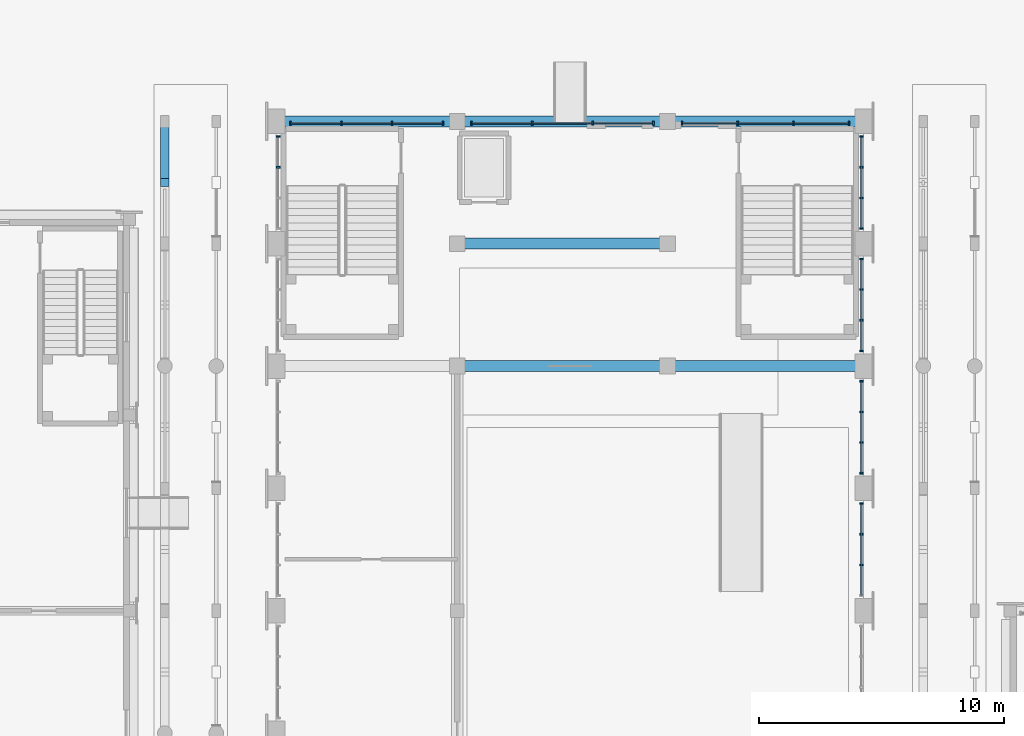
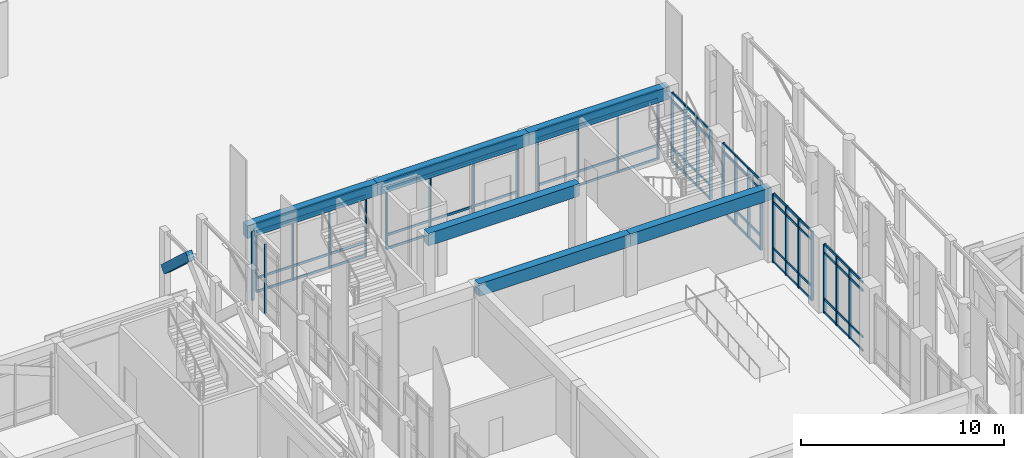
# One storey, part 43 of 135: 57 members, 7 beams, 8 elements without a shape of their own.
"""IFC4 building model written with IfcOpenShell, lengths in metres."""

from ifc_helpers import new_model, si_unit, direction, frame, origin, origin_2d, place, context, subcontext, project, spatial, rectangle, extrude, material, material_profile, profile_set, type_object, element, aggregate, save


model = new_model("IFC4")

# Units and contexts
model_context = context("Model", 3, precision=1e-05, world=origin(), true_north=direction((0.0, 1.0)))
body_context = subcontext(model_context, "Body", "Model", "MODEL_VIEW")
ifc_project = project(units=[si_unit("LENGTHUNIT", "METRE"), si_unit("AREAUNIT", "SQUARE_METRE"), si_unit("VOLUMEUNIT", "CUBIC_METRE"), si_unit("PLANEANGLEUNIT", "RADIAN"), si_unit("MASSUNIT", "GRAM", prefix="KILO")], contexts=[model_context])

# Site, building, storey
site_placement = place(None, origin())
site = spatial("IfcSite", under=ifc_project, at=site_placement, CompositionType="ELEMENT")
building_placement = place(site_placement, origin())
building = spatial("IfcBuilding", under=site, at=building_placement, Name="Kiranvali Square Residences", CompositionType="ELEMENT")
storey_placement = place(building_placement, origin())
storey = spatial("IfcBuildingStorey", under=building, at=storey_placement, Name="L00", CompositionType="ELEMENT", Elevation=0.0)

# Beams
ifc_material_1 = material(Name="Concrete M40 (40 MPa)", Category="concrete")
ifc_material_profile_1 = material_profile(ifc_material_1, rectangle(XDim=0.35009765625, YDim=0.5, at=origin_2d()), Name="RC 350x500")
ifc_profile_set_1 = profile_set([ifc_material_profile_1], Name="Concrete M40 (40 MPa)")
beam_type_1 = type_object("IfcBeamType", Name="AR-M40-350x500", PredefinedType="USERDEFINED", material=ifc_profile_set_1)
beam_1_placement = place(storey_placement, frame((67.449951171875, 81.5, 5.4599609375), z_axis=(0.0, 0.736401324674, -0.676544964521), x_axis=(-1.0, 0.0, 0.0)))
element("IfcBeam", 1, at=beam_1_placement, inside=storey, type_object=beam_type_1, Name="Classical pointed Ottoman arch rib ARCH-ARC-GDN-W-08.2", ObjectType="ARCH RIB", PredefinedType="USERDEFINED", context=body_context, shape_type="SweptSolid", body=[
    extrude(rectangle(XDim=0.35009765625, YDim=0.5, at=origin_2d()), origin(), (0.0, 0.0, 1.0), 3.340576171875),
])
ifc_material_2 = material(Name="Concrete M45 (45 MPa)", Category="concrete")
ifc_material_profile_2 = material_profile(ifc_material_2, rectangle(XDim=0.449951171875, YDim=0.75, at=origin_2d()), Name="RC 450x750")
ifc_profile_set_2 = profile_set([ifc_material_profile_2], Name="Concrete M45 (45 MPa)")
beam_type_2 = type_object("IfcBeamType", Name="BM-M45-450x750", PredefinedType="BEAM", material=ifc_profile_set_2)
beam_2_placement = place(storey_placement, frame((79.39990234375, 74.0, 3.875), z_axis=(1.0, 0.0, 0.0), x_axis=(0.0, 1.0, 0.0)))
element("IfcBeam", 2, at=beam_2_placement, inside=storey, type_object=beam_type_2, Name="L00 beam BM-CH-GAL-740-2", PredefinedType="BEAM", context=body_context, shape_type="SweptSolid", body=[
    extrude(rectangle(XDim=0.449951171875, YDim=0.75, at=origin_2d()), origin(), (0.0, 0.0, 1.0), 8.60009765625),
])
beam_3_placement = place(storey_placement, frame((88.0, 74.0, 3.875), z_axis=(1.0, 0.0, 0.0), x_axis=(0.0, 1.0, 0.0)))
element("IfcBeam", 3, at=beam_3_placement, inside=storey, type_object=beam_type_2, Name="L00 beam BM-CH-GAL-740-3", PredefinedType="BEAM", context=body_context, shape_type="SweptSolid", body=[
    extrude(rectangle(XDim=0.449951171875, YDim=0.75, at=origin_2d()), origin(), (0.0, 0.0, 1.0), 8.0),
])
beam_4_placement = place(storey_placement, frame((79.39990234375, 79.0, 3.875), z_axis=(1.0, 0.0, 0.0), x_axis=(0.0, 1.0, 0.0)))
element("IfcBeam", 4, at=beam_4_placement, inside=storey, type_object=beam_type_2, Name="L00 beam BM-CH-GAL-790-2", PredefinedType="BEAM", context=body_context, shape_type="SweptSolid", body=[
    extrude(rectangle(XDim=0.449951171875, YDim=0.75, at=origin_2d()), origin(), (0.0, 0.0, 1.0), 8.60009765625),
])
beam_5_placement = place(storey_placement, frame((72.0, 84.0, 3.875), z_axis=(1.0, 0.0, 0.0), x_axis=(0.0, 1.0, 0.0)))
element("IfcBeam", 5, at=beam_5_placement, inside=storey, type_object=beam_type_2, Name="L00 beam BM-CH-GAL-840-1", PredefinedType="BEAM", context=body_context, shape_type="SweptSolid", body=[
    extrude(rectangle(XDim=0.449951171875, YDim=0.75, at=origin_2d()), origin(), (0.0, 0.0, 1.0), 7.39990234375),
])
beam_6_placement = place(storey_placement, frame((79.39990234375, 84.0, 3.875), z_axis=(1.0, 0.0, 0.0), x_axis=(0.0, 1.0, 0.0)))
element("IfcBeam", 6, at=beam_6_placement, inside=storey, type_object=beam_type_2, Name="L00 beam BM-CH-GAL-840-2", PredefinedType="BEAM", context=body_context, shape_type="SweptSolid", body=[
    extrude(rectangle(XDim=0.449951171875, YDim=0.75, at=origin_2d()), origin(), (0.0, 0.0, 1.0), 8.60009765625),
])
beam_7_placement = place(storey_placement, frame((88.0, 84.0, 3.875), z_axis=(1.0, 0.0, 0.0), x_axis=(0.0, 1.0, 0.0)))
element("IfcBeam", 7, at=beam_7_placement, inside=storey, type_object=beam_type_2, Name="L00 beam BM-CH-GAL-840-3", PredefinedType="BEAM", context=body_context, shape_type="SweptSolid", body=[
    extrude(rectangle(XDim=0.449951171875, YDim=0.75, at=origin_2d()), origin(), (0.0, 0.0, 1.0), 8.0),
])

# Curtain wall, members
ifc_material_3 = material(Name="Anodised bronze aluminium framing", Category="aluminium")
curtain_wall_type = type_object("IfcCurtainWallType", Name="CW-CH-GLZ", PredefinedType="USERDEFINED", material=ifc_material_3)
curtain_wall_1_placement = place(storey_placement, origin())
curtain_wall_1 = element("IfcCurtainWall", 8, at=curtain_wall_1_placement, inside=storey, type_object=curtain_wall_type, Name="Community Hall L00 E glazed arcade bay 5", ObjectType="CURTAIN WALL", PredefinedType="USERDEFINED")
ifc_material_profile_3 = material_profile(ifc_material_3, rectangle(XDim=0.06494140625, YDim=0.159912109375, at=origin_2d()), Name="ALU 65x160")
ifc_profile_set_3 = profile_set([ifc_material_profile_3], Name="Anodised bronze aluminium framing")
member_type_1 = type_object("IfcMemberType", Name="CW-MUL-160", PredefinedType="MULLION", material=ifc_profile_set_3)
member_1_placement = place(storey_placement, frame((95.919921875, 65.873291015625, 0.02001953125), z_axis=(0.0, 0.0, 1.0), x_axis=(0.0, 1.0, 0.0)))
member_1 = element("IfcMember", 9, at=member_1_placement, type_object=member_type_1, Name="CW-CH-L00-E5 vertical mullion 2", PredefinedType="MULLION", context=body_context, shape_type="SweptSolid", body=[
    extrude(rectangle(XDim=0.06494140625, YDim=0.159912109375, at=origin_2d()), origin(), (0.0, 0.0, 1.0), 4.139892578125),
])
member_2_placement = place(storey_placement, frame((95.919921875, 67.126708984375, 0.02001953125), z_axis=(0.0, 0.0, 1.0), x_axis=(0.0, 1.0, 0.0)))
member_2 = element("IfcMember", 10, at=member_2_placement, type_object=member_type_1, Name="CW-CH-L00-E5 vertical mullion 3", PredefinedType="MULLION", context=body_context, shape_type="SweptSolid", body=[
    extrude(rectangle(XDim=0.06494140625, YDim=0.159912109375, at=origin_2d()), origin(), (0.0, 0.0, 1.0), 4.139892578125),
])
member_3_placement = place(storey_placement, frame((95.919921875, 68.3798828125, 0.02001953125), z_axis=(0.0, 0.0, 1.0), x_axis=(0.0, 1.0, 0.0)))
member_3 = element("IfcMember", 11, at=member_3_placement, type_object=member_type_1, Name="CW-CH-L00-E5 vertical mullion 4", PredefinedType="MULLION", context=body_context, shape_type="SweptSolid", body=[
    extrude(rectangle(XDim=0.06494140625, YDim=0.159912109375, at=origin_2d()), origin(), (0.0, 0.0, 1.0), 4.139892578125),
])

curtain_wall_2_placement = place(storey_placement, origin())
curtain_wall_2 = element("IfcCurtainWall", 12, at=curtain_wall_2_placement, inside=storey, type_object=curtain_wall_type, Name="Community Hall L00 E glazed arcade bay 6", ObjectType="CURTAIN WALL", PredefinedType="USERDEFINED")
member_4_placement = place(storey_placement, frame((95.919921875, 69.6201171875, 0.02001953125), z_axis=(0.0, 0.0, 1.0), x_axis=(0.0, 1.0, 0.0)))
member_4 = element("IfcMember", 13, at=member_4_placement, type_object=member_type_1, Name="CW-CH-L00-E6 vertical mullion 1", PredefinedType="MULLION", context=body_context, shape_type="SweptSolid", body=[
    extrude(rectangle(XDim=0.06494140625, YDim=0.159912109375, at=origin_2d()), origin(), (0.0, 0.0, 1.0), 4.139892578125),
])
member_5_placement = place(storey_placement, frame((95.919921875, 70.873291015625, 0.02001953125), z_axis=(0.0, 0.0, 1.0), x_axis=(0.0, 1.0, 0.0)))
member_5 = element("IfcMember", 14, at=member_5_placement, type_object=member_type_1, Name="CW-CH-L00-E6 vertical mullion 2", PredefinedType="MULLION", context=body_context, shape_type="SweptSolid", body=[
    extrude(rectangle(XDim=0.06494140625, YDim=0.159912109375, at=origin_2d()), origin(), (0.0, 0.0, 1.0), 4.139892578125),
])
member_6_placement = place(storey_placement, frame((95.919921875, 72.126708984375, 0.02001953125), z_axis=(0.0, 0.0, 1.0), x_axis=(0.0, 1.0, 0.0)))
member_6 = element("IfcMember", 15, at=member_6_placement, type_object=member_type_1, Name="CW-CH-L00-E6 vertical mullion 3", PredefinedType="MULLION", context=body_context, shape_type="SweptSolid", body=[
    extrude(rectangle(XDim=0.06494140625, YDim=0.159912109375, at=origin_2d()), origin(), (0.0, 0.0, 1.0), 4.139892578125),
])
member_7_placement = place(storey_placement, frame((95.919921875, 73.3798828125, 0.02001953125), z_axis=(0.0, 0.0, 1.0), x_axis=(0.0, 1.0, 0.0)))
member_7 = element("IfcMember", 16, at=member_7_placement, type_object=member_type_1, Name="CW-CH-L00-E6 vertical mullion 4", PredefinedType="MULLION", context=body_context, shape_type="SweptSolid", body=[
    extrude(rectangle(XDim=0.06494140625, YDim=0.159912109375, at=origin_2d()), origin(), (0.0, 0.0, 1.0), 4.139892578125),
])

curtain_wall_3_placement = place(storey_placement, origin())
curtain_wall_3 = element("IfcCurtainWall", 17, at=curtain_wall_3_placement, inside=storey, type_object=curtain_wall_type, Name="Community Hall L00 E glazed arcade bay 7", ObjectType="CURTAIN WALL", PredefinedType="USERDEFINED")
member_8_placement = place(storey_placement, frame((95.919921875, 74.6201171875, 0.02001953125), z_axis=(0.0, 0.0, 1.0), x_axis=(0.0, 1.0, 0.0)))
member_8 = element("IfcMember", 18, at=member_8_placement, type_object=member_type_1, Name="CW-CH-L00-E7 vertical mullion 1", PredefinedType="MULLION", context=body_context, shape_type="SweptSolid", body=[
    extrude(rectangle(XDim=0.06494140625, YDim=0.159912109375, at=origin_2d()), origin(), (0.0, 0.0, 1.0), 4.139892578125),
])
member_9_placement = place(storey_placement, frame((95.919921875, 75.873291015625, 0.02001953125), z_axis=(0.0, 0.0, 1.0), x_axis=(0.0, 1.0, 0.0)))
member_9 = element("IfcMember", 19, at=member_9_placement, type_object=member_type_1, Name="CW-CH-L00-E7 vertical mullion 2", PredefinedType="MULLION", context=body_context, shape_type="SweptSolid", body=[
    extrude(rectangle(XDim=0.06494140625, YDim=0.159912109375, at=origin_2d()), origin(), (0.0, 0.0, 1.0), 4.139892578125),
])
member_10_placement = place(storey_placement, frame((95.919921875, 77.126708984375, 0.02001953125), z_axis=(0.0, 0.0, 1.0), x_axis=(0.0, 1.0, 0.0)))
member_10 = element("IfcMember", 20, at=member_10_placement, type_object=member_type_1, Name="CW-CH-L00-E7 vertical mullion 3", PredefinedType="MULLION", context=body_context, shape_type="SweptSolid", body=[
    extrude(rectangle(XDim=0.06494140625, YDim=0.159912109375, at=origin_2d()), origin(), (0.0, 0.0, 1.0), 4.139892578125),
])
member_11_placement = place(storey_placement, frame((95.919921875, 78.3798828125, 0.02001953125), z_axis=(0.0, 0.0, 1.0), x_axis=(0.0, 1.0, 0.0)))
member_11 = element("IfcMember", 21, at=member_11_placement, type_object=member_type_1, Name="CW-CH-L00-E7 vertical mullion 4", PredefinedType="MULLION", context=body_context, shape_type="SweptSolid", body=[
    extrude(rectangle(XDim=0.06494140625, YDim=0.159912109375, at=origin_2d()), origin(), (0.0, 0.0, 1.0), 4.139892578125),
])

curtain_wall_4_placement = place(storey_placement, origin())
curtain_wall_4 = element("IfcCurtainWall", 22, at=curtain_wall_4_placement, inside=storey, type_object=curtain_wall_type, Name="Community Hall L00 W glazed arcade bay 8", ObjectType="CURTAIN WALL", PredefinedType="USERDEFINED")
member_12_placement = place(storey_placement, frame((72.080078125, 82.126708984375, 0.02001953125), z_axis=(0.0, 0.0, 1.0), x_axis=(0.0, 1.0, 0.0)))
member_12 = element("IfcMember", 23, at=member_12_placement, type_object=member_type_1, Name="CW-CH-L00-W8 vertical mullion 3", PredefinedType="MULLION", context=body_context, shape_type="SweptSolid", body=[
    extrude(rectangle(XDim=0.06494140625, YDim=0.159912109375, at=origin_2d()), origin(), (0.0, 0.0, 1.0), 4.139892578125),
])
member_13_placement = place(storey_placement, frame((72.080078125, 83.3798828125, 0.02001953125), z_axis=(0.0, 0.0, 1.0), x_axis=(0.0, 1.0, 0.0)))
member_13 = element("IfcMember", 24, at=member_13_placement, type_object=member_type_1, Name="CW-CH-L00-W8 vertical mullion 4", PredefinedType="MULLION", context=body_context, shape_type="SweptSolid", body=[
    extrude(rectangle(XDim=0.06494140625, YDim=0.159912109375, at=origin_2d()), origin(), (0.0, 0.0, 1.0), 4.139892578125),
])
aggregate(curtain_wall_4, [member_12, member_13])

curtain_wall_5_placement = place(storey_placement, origin())
curtain_wall_5 = element("IfcCurtainWall", 25, at=curtain_wall_5_placement, inside=storey, type_object=curtain_wall_type, Name="Community Hall L00 E glazed arcade bay 8", ObjectType="CURTAIN WALL", PredefinedType="USERDEFINED")
member_14_placement = place(storey_placement, frame((95.919921875, 79.6201171875, 0.02001953125), z_axis=(0.0, 0.0, 1.0), x_axis=(0.0, 1.0, 0.0)))
member_14 = element("IfcMember", 26, at=member_14_placement, type_object=member_type_1, Name="CW-CH-L00-E8 vertical mullion 1", PredefinedType="MULLION", context=body_context, shape_type="SweptSolid", body=[
    extrude(rectangle(XDim=0.06494140625, YDim=0.159912109375, at=origin_2d()), origin(), (0.0, 0.0, 1.0), 4.139892578125),
])
member_15_placement = place(storey_placement, frame((95.919921875, 80.873291015625, 0.02001953125), z_axis=(0.0, 0.0, 1.0), x_axis=(0.0, 1.0, 0.0)))
member_15 = element("IfcMember", 27, at=member_15_placement, type_object=member_type_1, Name="CW-CH-L00-E8 vertical mullion 2", PredefinedType="MULLION", context=body_context, shape_type="SweptSolid", body=[
    extrude(rectangle(XDim=0.06494140625, YDim=0.159912109375, at=origin_2d()), origin(), (0.0, 0.0, 1.0), 4.139892578125),
])
member_16_placement = place(storey_placement, frame((95.919921875, 82.126708984375, 0.02001953125), z_axis=(0.0, 0.0, 1.0), x_axis=(0.0, 1.0, 0.0)))
member_16 = element("IfcMember", 28, at=member_16_placement, type_object=member_type_1, Name="CW-CH-L00-E8 vertical mullion 3", PredefinedType="MULLION", context=body_context, shape_type="SweptSolid", body=[
    extrude(rectangle(XDim=0.06494140625, YDim=0.159912109375, at=origin_2d()), origin(), (0.0, 0.0, 1.0), 4.139892578125),
])
member_17_placement = place(storey_placement, frame((95.919921875, 83.3798828125, 0.02001953125), z_axis=(0.0, 0.0, 1.0), x_axis=(0.0, 1.0, 0.0)))
member_17 = element("IfcMember", 29, at=member_17_placement, type_object=member_type_1, Name="CW-CH-L00-E8 vertical mullion 4", PredefinedType="MULLION", context=body_context, shape_type="SweptSolid", body=[
    extrude(rectangle(XDim=0.06494140625, YDim=0.159912109375, at=origin_2d()), origin(), (0.0, 0.0, 1.0), 4.139892578125),
])

curtain_wall_6_placement = place(storey_placement, origin())
curtain_wall_6 = element("IfcCurtainWall", 30, at=curtain_wall_6_placement, inside=storey, type_object=curtain_wall_type, Name="Community Hall N entrance portal bay 1", ObjectType="CURTAIN WALL", PredefinedType="USERDEFINED")
member_18_placement = place(storey_placement, frame((72.590087890625, 83.919921875, 0.02001953125), z_axis=(0.0, 0.0, 1.0), x_axis=(1.0, 0.0, 0.0)))
member_18 = element("IfcMember", 31, at=member_18_placement, type_object=member_type_1, Name="CW-CH-GAB-N0-1 vertical mullion 1", PredefinedType="MULLION", context=body_context, shape_type="SweptSolid", body=[
    extrude(rectangle(XDim=0.06494140625, YDim=0.159912109375, at=origin_2d()), origin(), (0.0, 0.0, 1.0), 4.139892578125),
])
member_19_placement = place(storey_placement, frame((74.663330078125, 83.919921875, 0.02001953125), z_axis=(0.0, 0.0, 1.0), x_axis=(1.0, 0.0, 0.0)))
member_19 = element("IfcMember", 32, at=member_19_placement, type_object=member_type_1, Name="CW-CH-GAB-N0-1 vertical mullion 2", PredefinedType="MULLION", context=body_context, shape_type="SweptSolid", body=[
    extrude(rectangle(XDim=0.06494140625, YDim=0.159912109375, at=origin_2d()), origin(), (0.0, 0.0, 1.0), 4.139892578125),
])
member_20_placement = place(storey_placement, frame((76.736572265625, 83.919921875, 0.02001953125), z_axis=(0.0, 0.0, 1.0), x_axis=(1.0, 0.0, 0.0)))
member_20 = element("IfcMember", 33, at=member_20_placement, type_object=member_type_1, Name="CW-CH-GAB-N0-1 vertical mullion 3", PredefinedType="MULLION", context=body_context, shape_type="SweptSolid", body=[
    extrude(rectangle(XDim=0.06494140625, YDim=0.159912109375, at=origin_2d()), origin(), (0.0, 0.0, 1.0), 4.139892578125),
])
member_21_placement = place(storey_placement, frame((78.81005859375, 83.919921875, 0.02001953125), z_axis=(0.0, 0.0, 1.0), x_axis=(1.0, 0.0, 0.0)))
member_21 = element("IfcMember", 34, at=member_21_placement, type_object=member_type_1, Name="CW-CH-GAB-N0-1 vertical mullion 4", PredefinedType="MULLION", context=body_context, shape_type="SweptSolid", body=[
    extrude(rectangle(XDim=0.06494140625, YDim=0.159912109375, at=origin_2d()), origin(), (0.0, 0.0, 1.0), 4.139892578125),
])

curtain_wall_7_placement = place(storey_placement, origin())
curtain_wall_7 = element("IfcCurtainWall", 35, at=curtain_wall_7_placement, inside=storey, type_object=curtain_wall_type, Name="Community Hall N entrance portal bay 2", ObjectType="CURTAIN WALL", PredefinedType="USERDEFINED")
member_22_placement = place(storey_placement, frame((79.989990234375, 83.919921875, 0.02001953125), z_axis=(0.0, 0.0, 1.0), x_axis=(1.0, 0.0, 0.0)))
member_22 = element("IfcMember", 36, at=member_22_placement, type_object=member_type_1, Name="CW-CH-GAB-N0-2 vertical mullion 1", PredefinedType="MULLION", context=body_context, shape_type="SweptSolid", body=[
    extrude(rectangle(XDim=0.06494140625, YDim=0.159912109375, at=origin_2d()), origin(), (0.0, 0.0, 1.0), 4.139892578125),
])
member_23_placement = place(storey_placement, frame((82.46337890625, 83.919921875, 0.02001953125), z_axis=(0.0, 0.0, 1.0), x_axis=(1.0, 0.0, 0.0)))
member_23 = element("IfcMember", 37, at=member_23_placement, type_object=member_type_1, Name="CW-CH-GAB-N0-2 vertical mullion 2", PredefinedType="MULLION", context=body_context, shape_type="SweptSolid", body=[
    extrude(rectangle(XDim=0.06494140625, YDim=0.159912109375, at=origin_2d()), origin(), (0.0, 0.0, 1.0), 4.139892578125),
])
member_24_placement = place(storey_placement, frame((84.936767578125, 83.919921875, 0.02001953125), z_axis=(0.0, 0.0, 1.0), x_axis=(1.0, 0.0, 0.0)))
member_24 = element("IfcMember", 38, at=member_24_placement, type_object=member_type_1, Name="CW-CH-GAB-N0-2 vertical mullion 3", PredefinedType="MULLION", context=body_context, shape_type="SweptSolid", body=[
    extrude(rectangle(XDim=0.06494140625, YDim=0.159912109375, at=origin_2d()), origin(), (0.0, 0.0, 1.0), 4.139892578125),
])
member_25_placement = place(storey_placement, frame((87.409912109375, 83.919921875, 0.02001953125), z_axis=(0.0, 0.0, 1.0), x_axis=(1.0, 0.0, 0.0)))
member_25 = element("IfcMember", 39, at=member_25_placement, type_object=member_type_1, Name="CW-CH-GAB-N0-2 vertical mullion 4", PredefinedType="MULLION", context=body_context, shape_type="SweptSolid", body=[
    extrude(rectangle(XDim=0.06494140625, YDim=0.159912109375, at=origin_2d()), origin(), (0.0, 0.0, 1.0), 4.139892578125),
])

curtain_wall_8_placement = place(storey_placement, origin())
curtain_wall_8 = element("IfcCurtainWall", 40, at=curtain_wall_8_placement, inside=storey, type_object=curtain_wall_type, Name="Community Hall N entrance portal bay 3", ObjectType="CURTAIN WALL", PredefinedType="USERDEFINED")
member_26_placement = place(storey_placement, frame((88.590087890625, 83.919921875, 0.02001953125), z_axis=(0.0, 0.0, 1.0), x_axis=(1.0, 0.0, 0.0)))
member_26 = element("IfcMember", 41, at=member_26_placement, type_object=member_type_1, Name="CW-CH-GAB-N0-3 vertical mullion 1", PredefinedType="MULLION", context=body_context, shape_type="SweptSolid", body=[
    extrude(rectangle(XDim=0.06494140625, YDim=0.159912109375, at=origin_2d()), origin(), (0.0, 0.0, 1.0), 4.139892578125),
])
member_27_placement = place(storey_placement, frame((90.86328125, 83.919921875, 0.02001953125), z_axis=(0.0, 0.0, 1.0), x_axis=(1.0, 0.0, 0.0)))
member_27 = element("IfcMember", 42, at=member_27_placement, type_object=member_type_1, Name="CW-CH-GAB-N0-3 vertical mullion 2", PredefinedType="MULLION", context=body_context, shape_type="SweptSolid", body=[
    extrude(rectangle(XDim=0.06494140625, YDim=0.159912109375, at=origin_2d()), origin(), (0.0, 0.0, 1.0), 4.139892578125),
])
member_28_placement = place(storey_placement, frame((93.13671875, 83.919921875, 0.02001953125), z_axis=(0.0, 0.0, 1.0), x_axis=(1.0, 0.0, 0.0)))
member_28 = element("IfcMember", 43, at=member_28_placement, type_object=member_type_1, Name="CW-CH-GAB-N0-3 vertical mullion 3", PredefinedType="MULLION", context=body_context, shape_type="SweptSolid", body=[
    extrude(rectangle(XDim=0.06494140625, YDim=0.159912109375, at=origin_2d()), origin(), (0.0, 0.0, 1.0), 4.139892578125),
])
member_29_placement = place(storey_placement, frame((95.409912109375, 83.919921875, 0.02001953125), z_axis=(0.0, 0.0, 1.0), x_axis=(1.0, 0.0, 0.0)))
member_29 = element("IfcMember", 44, at=member_29_placement, type_object=member_type_1, Name="CW-CH-GAB-N0-3 vertical mullion 4", PredefinedType="MULLION", context=body_context, shape_type="SweptSolid", body=[
    extrude(rectangle(XDim=0.06494140625, YDim=0.159912109375, at=origin_2d()), origin(), (0.0, 0.0, 1.0), 4.139892578125),
])

# Member
ifc_material_profile_4 = material_profile(ifc_material_3, rectangle(XDim=0.06494140625, YDim=0.139892578125, at=origin_2d()), Name="ALU 65x140")
ifc_profile_set_4 = profile_set([ifc_material_profile_4], Name="Anodised bronze aluminium framing")
member_type_2 = type_object("IfcMemberType", Name="CW-TRN-140", PredefinedType="MULLION", material=ifc_profile_set_4)
member_30_placement = place(storey_placement, frame((95.919921875, 64.6298828125, 0.0400390625), z_axis=(0.0, 1.0, 0.0), x_axis=(-1.0, 0.0, 0.0)))
member_30 = element("IfcMember", 45, at=member_30_placement, type_object=member_type_2, Name="CW-CH-L00-E5 horizontal transom 1", PredefinedType="MULLION", context=body_context, shape_type="SweptSolid", body=[
    extrude(rectangle(XDim=0.06494140625, YDim=0.139892578125, at=origin_2d()), origin(), (0.0, 0.0, 1.0), 3.740234375),
])

member_31_placement = place(storey_placement, frame((95.919921875, 64.6298828125, 0.85009765625), z_axis=(0.0, 1.0, 0.0), x_axis=(-1.0, 0.0, 0.0)))
member_31 = element("IfcMember", 46, at=member_31_placement, type_object=member_type_2, Name="CW-CH-L00-E5 horizontal transom 2", PredefinedType="MULLION", context=body_context, shape_type="SweptSolid", body=[
    extrude(rectangle(XDim=0.06494140625, YDim=0.139892578125, at=origin_2d()), origin(), (0.0, 0.0, 1.0), 3.740234375),
])

member_32_placement = place(storey_placement, frame((95.919921875, 64.6298828125, 3.6298828125), z_axis=(0.0, 1.0, 0.0), x_axis=(-1.0, 0.0, 0.0)))
member_32 = element("IfcMember", 47, at=member_32_placement, type_object=member_type_2, Name="CW-CH-L00-E5 horizontal transom 3", PredefinedType="MULLION", context=body_context, shape_type="SweptSolid", body=[
    extrude(rectangle(XDim=0.06494140625, YDim=0.139892578125, at=origin_2d()), origin(), (0.0, 0.0, 1.0), 3.740234375),
])

member_33_placement = place(storey_placement, frame((95.919921875, 64.6298828125, 4.139892578125), z_axis=(0.0, 1.0, 0.0), x_axis=(-1.0, 0.0, 0.0)))
member_33 = element("IfcMember", 48, at=member_33_placement, type_object=member_type_2, Name="CW-CH-L00-E5 horizontal transom 4", PredefinedType="MULLION", context=body_context, shape_type="SweptSolid", body=[
    extrude(rectangle(XDim=0.06494140625, YDim=0.139892578125, at=origin_2d()), origin(), (0.0, 0.0, 1.0), 3.740234375),
])

aggregate(curtain_wall_1, [member_1, member_2, member_3, member_30, member_31, member_32, member_33])

member_34_placement = place(storey_placement, frame((95.919921875, 69.6298828125, 0.0400390625), z_axis=(0.0, 1.0, 0.0), x_axis=(-1.0, 0.0, 0.0)))
member_34 = element("IfcMember", 49, at=member_34_placement, type_object=member_type_2, Name="CW-CH-L00-E6 horizontal transom 1", PredefinedType="MULLION", context=body_context, shape_type="SweptSolid", body=[
    extrude(rectangle(XDim=0.06494140625, YDim=0.139892578125, at=origin_2d()), origin(), (0.0, 0.0, 1.0), 3.740234375),
])

member_35_placement = place(storey_placement, frame((95.919921875, 69.6298828125, 0.85009765625), z_axis=(0.0, 1.0, 0.0), x_axis=(-1.0, 0.0, 0.0)))
member_35 = element("IfcMember", 50, at=member_35_placement, type_object=member_type_2, Name="CW-CH-L00-E6 horizontal transom 2", PredefinedType="MULLION", context=body_context, shape_type="SweptSolid", body=[
    extrude(rectangle(XDim=0.06494140625, YDim=0.139892578125, at=origin_2d()), origin(), (0.0, 0.0, 1.0), 3.740234375),
])

member_36_placement = place(storey_placement, frame((95.919921875, 69.6298828125, 3.6298828125), z_axis=(0.0, 1.0, 0.0), x_axis=(-1.0, 0.0, 0.0)))
member_36 = element("IfcMember", 51, at=member_36_placement, type_object=member_type_2, Name="CW-CH-L00-E6 horizontal transom 3", PredefinedType="MULLION", context=body_context, shape_type="SweptSolid", body=[
    extrude(rectangle(XDim=0.06494140625, YDim=0.139892578125, at=origin_2d()), origin(), (0.0, 0.0, 1.0), 3.740234375),
])

member_37_placement = place(storey_placement, frame((95.919921875, 69.6298828125, 4.139892578125), z_axis=(0.0, 1.0, 0.0), x_axis=(-1.0, 0.0, 0.0)))
member_37 = element("IfcMember", 52, at=member_37_placement, type_object=member_type_2, Name="CW-CH-L00-E6 horizontal transom 4", PredefinedType="MULLION", context=body_context, shape_type="SweptSolid", body=[
    extrude(rectangle(XDim=0.06494140625, YDim=0.139892578125, at=origin_2d()), origin(), (0.0, 0.0, 1.0), 3.740234375),
])

aggregate(curtain_wall_2, [member_4, member_5, member_6, member_7, member_34, member_35, member_36, member_37])

member_38_placement = place(storey_placement, frame((95.919921875, 74.6298828125, 0.0400390625), z_axis=(0.0, 1.0, 0.0), x_axis=(-1.0, 0.0, 0.0)))
member_38 = element("IfcMember", 53, at=member_38_placement, type_object=member_type_2, Name="CW-CH-L00-E7 horizontal transom 1", PredefinedType="MULLION", context=body_context, shape_type="SweptSolid", body=[
    extrude(rectangle(XDim=0.06494140625, YDim=0.139892578125, at=origin_2d()), origin(), (0.0, 0.0, 1.0), 3.740234375),
])

member_39_placement = place(storey_placement, frame((95.919921875, 74.6298828125, 0.85009765625), z_axis=(0.0, 1.0, 0.0), x_axis=(-1.0, 0.0, 0.0)))
member_39 = element("IfcMember", 54, at=member_39_placement, type_object=member_type_2, Name="CW-CH-L00-E7 horizontal transom 2", PredefinedType="MULLION", context=body_context, shape_type="SweptSolid", body=[
    extrude(rectangle(XDim=0.06494140625, YDim=0.139892578125, at=origin_2d()), origin(), (0.0, 0.0, 1.0), 3.740234375),
])

member_40_placement = place(storey_placement, frame((95.919921875, 74.6298828125, 3.6298828125), z_axis=(0.0, 1.0, 0.0), x_axis=(-1.0, 0.0, 0.0)))
member_40 = element("IfcMember", 55, at=member_40_placement, type_object=member_type_2, Name="CW-CH-L00-E7 horizontal transom 3", PredefinedType="MULLION", context=body_context, shape_type="SweptSolid", body=[
    extrude(rectangle(XDim=0.06494140625, YDim=0.139892578125, at=origin_2d()), origin(), (0.0, 0.0, 1.0), 3.740234375),
])

member_41_placement = place(storey_placement, frame((95.919921875, 74.6298828125, 4.139892578125), z_axis=(0.0, 1.0, 0.0), x_axis=(-1.0, 0.0, 0.0)))
member_41 = element("IfcMember", 56, at=member_41_placement, type_object=member_type_2, Name="CW-CH-L00-E7 horizontal transom 4", PredefinedType="MULLION", context=body_context, shape_type="SweptSolid", body=[
    extrude(rectangle(XDim=0.06494140625, YDim=0.139892578125, at=origin_2d()), origin(), (0.0, 0.0, 1.0), 3.740234375),
])

aggregate(curtain_wall_3, [member_8, member_9, member_10, member_11, member_38, member_39, member_40, member_41])

member_42_placement = place(storey_placement, frame((95.919921875, 79.6298828125, 0.0400390625), z_axis=(0.0, 1.0, 0.0), x_axis=(-1.0, 0.0, 0.0)))
member_42 = element("IfcMember", 57, at=member_42_placement, type_object=member_type_2, Name="CW-CH-L00-E8 horizontal transom 1", PredefinedType="MULLION", context=body_context, shape_type="SweptSolid", body=[
    extrude(rectangle(XDim=0.06494140625, YDim=0.139892578125, at=origin_2d()), origin(), (0.0, 0.0, 1.0), 3.740234375),
])

member_43_placement = place(storey_placement, frame((95.919921875, 79.6298828125, 0.85009765625), z_axis=(0.0, 1.0, 0.0), x_axis=(-1.0, 0.0, 0.0)))
member_43 = element("IfcMember", 58, at=member_43_placement, type_object=member_type_2, Name="CW-CH-L00-E8 horizontal transom 2", PredefinedType="MULLION", context=body_context, shape_type="SweptSolid", body=[
    extrude(rectangle(XDim=0.06494140625, YDim=0.139892578125, at=origin_2d()), origin(), (0.0, 0.0, 1.0), 3.740234375),
])

member_44_placement = place(storey_placement, frame((95.919921875, 79.6298828125, 3.6298828125), z_axis=(0.0, 1.0, 0.0), x_axis=(-1.0, 0.0, 0.0)))
member_44 = element("IfcMember", 59, at=member_44_placement, type_object=member_type_2, Name="CW-CH-L00-E8 horizontal transom 3", PredefinedType="MULLION", context=body_context, shape_type="SweptSolid", body=[
    extrude(rectangle(XDim=0.06494140625, YDim=0.139892578125, at=origin_2d()), origin(), (0.0, 0.0, 1.0), 3.740234375),
])

member_45_placement = place(storey_placement, frame((95.919921875, 79.6298828125, 4.139892578125), z_axis=(0.0, 1.0, 0.0), x_axis=(-1.0, 0.0, 0.0)))
member_45 = element("IfcMember", 60, at=member_45_placement, type_object=member_type_2, Name="CW-CH-L00-E8 horizontal transom 4", PredefinedType="MULLION", context=body_context, shape_type="SweptSolid", body=[
    extrude(rectangle(XDim=0.06494140625, YDim=0.139892578125, at=origin_2d()), origin(), (0.0, 0.0, 1.0), 3.740234375),
])

aggregate(curtain_wall_5, [member_14, member_15, member_16, member_17, member_42, member_43, member_44, member_45])

member_46_placement = place(storey_placement, frame((72.60009765625, 83.919921875, 0.0400390625), z_axis=(1.0, 0.0, 0.0), x_axis=(0.0, 1.0, 0.0)))
member_46 = element("IfcMember", 61, at=member_46_placement, type_object=member_type_2, Name="CW-CH-GAB-N0-1 horizontal transom 1", PredefinedType="MULLION", context=body_context, shape_type="SweptSolid", body=[
    extrude(rectangle(XDim=0.06494140625, YDim=0.139892578125, at=origin_2d()), origin(), (0.0, 0.0, 1.0), 6.199951171875),
])

member_47_placement = place(storey_placement, frame((72.60009765625, 83.919921875, 0.85009765625), z_axis=(1.0, 0.0, 0.0), x_axis=(0.0, 1.0, 0.0)))
member_47 = element("IfcMember", 62, at=member_47_placement, type_object=member_type_2, Name="CW-CH-GAB-N0-1 horizontal transom 2", PredefinedType="MULLION", context=body_context, shape_type="SweptSolid", body=[
    extrude(rectangle(XDim=0.06494140625, YDim=0.139892578125, at=origin_2d()), origin(), (0.0, 0.0, 1.0), 6.199951171875),
])

member_48_placement = place(storey_placement, frame((72.60009765625, 83.919921875, 3.6298828125), z_axis=(1.0, 0.0, 0.0), x_axis=(0.0, 1.0, 0.0)))
member_48 = element("IfcMember", 63, at=member_48_placement, type_object=member_type_2, Name="CW-CH-GAB-N0-1 horizontal transom 3", PredefinedType="MULLION", context=body_context, shape_type="SweptSolid", body=[
    extrude(rectangle(XDim=0.06494140625, YDim=0.139892578125, at=origin_2d()), origin(), (0.0, 0.0, 1.0), 6.199951171875),
])

member_49_placement = place(storey_placement, frame((72.60009765625, 83.919921875, 4.139892578125), z_axis=(1.0, 0.0, 0.0), x_axis=(0.0, 1.0, 0.0)))
member_49 = element("IfcMember", 64, at=member_49_placement, type_object=member_type_2, Name="CW-CH-GAB-N0-1 horizontal transom 4", PredefinedType="MULLION", context=body_context, shape_type="SweptSolid", body=[
    extrude(rectangle(XDim=0.06494140625, YDim=0.139892578125, at=origin_2d()), origin(), (0.0, 0.0, 1.0), 6.199951171875),
])

aggregate(curtain_wall_6, [member_18, member_19, member_20, member_21, member_46, member_47, member_48, member_49])

member_50_placement = place(storey_placement, frame((80.0, 83.919921875, 0.0400390625), z_axis=(1.0, 0.0, 0.0), x_axis=(0.0, 1.0, 0.0)))
member_50 = element("IfcMember", 65, at=member_50_placement, type_object=member_type_2, Name="CW-CH-GAB-N0-2 horizontal transom 1", PredefinedType="MULLION", context=body_context, shape_type="SweptSolid", body=[
    extrude(rectangle(XDim=0.06494140625, YDim=0.139892578125, at=origin_2d()), origin(), (0.0, 0.0, 1.0), 7.39990234375),
])

member_51_placement = place(storey_placement, frame((80.0, 83.919921875, 0.85009765625), z_axis=(1.0, 0.0, 0.0), x_axis=(0.0, 1.0, 0.0)))
member_51 = element("IfcMember", 66, at=member_51_placement, type_object=member_type_2, Name="CW-CH-GAB-N0-2 horizontal transom 2", PredefinedType="MULLION", context=body_context, shape_type="SweptSolid", body=[
    extrude(rectangle(XDim=0.06494140625, YDim=0.139892578125, at=origin_2d()), origin(), (0.0, 0.0, 1.0), 7.39990234375),
])

member_52_placement = place(storey_placement, frame((80.0, 83.919921875, 3.6298828125), z_axis=(1.0, 0.0, 0.0), x_axis=(0.0, 1.0, 0.0)))
member_52 = element("IfcMember", 67, at=member_52_placement, type_object=member_type_2, Name="CW-CH-GAB-N0-2 horizontal transom 3", PredefinedType="MULLION", context=body_context, shape_type="SweptSolid", body=[
    extrude(rectangle(XDim=0.06494140625, YDim=0.139892578125, at=origin_2d()), origin(), (0.0, 0.0, 1.0), 7.39990234375),
])

member_53_placement = place(storey_placement, frame((80.0, 83.919921875, 4.139892578125), z_axis=(1.0, 0.0, 0.0), x_axis=(0.0, 1.0, 0.0)))
member_53 = element("IfcMember", 68, at=member_53_placement, type_object=member_type_2, Name="CW-CH-GAB-N0-2 horizontal transom 4", PredefinedType="MULLION", context=body_context, shape_type="SweptSolid", body=[
    extrude(rectangle(XDim=0.06494140625, YDim=0.139892578125, at=origin_2d()), origin(), (0.0, 0.0, 1.0), 7.39990234375),
])

aggregate(curtain_wall_7, [member_22, member_23, member_24, member_25, member_50, member_51, member_52, member_53])

member_54_placement = place(storey_placement, frame((88.60009765625, 83.919921875, 0.0400390625), z_axis=(1.0, 0.0, 0.0), x_axis=(0.0, 1.0, 0.0)))
member_54 = element("IfcMember", 69, at=member_54_placement, type_object=member_type_2, Name="CW-CH-GAB-N0-3 horizontal transom 1", PredefinedType="MULLION", context=body_context, shape_type="SweptSolid", body=[
    extrude(rectangle(XDim=0.06494140625, YDim=0.139892578125, at=origin_2d()), origin(), (0.0, 0.0, 1.0), 6.7998046875),
])

member_55_placement = place(storey_placement, frame((88.60009765625, 83.919921875, 0.85009765625), z_axis=(1.0, 0.0, 0.0), x_axis=(0.0, 1.0, 0.0)))
member_55 = element("IfcMember", 70, at=member_55_placement, type_object=member_type_2, Name="CW-CH-GAB-N0-3 horizontal transom 2", PredefinedType="MULLION", context=body_context, shape_type="SweptSolid", body=[
    extrude(rectangle(XDim=0.06494140625, YDim=0.139892578125, at=origin_2d()), origin(), (0.0, 0.0, 1.0), 6.7998046875),
])

member_56_placement = place(storey_placement, frame((88.60009765625, 83.919921875, 3.6298828125), z_axis=(1.0, 0.0, 0.0), x_axis=(0.0, 1.0, 0.0)))
member_56 = element("IfcMember", 71, at=member_56_placement, type_object=member_type_2, Name="CW-CH-GAB-N0-3 horizontal transom 3", PredefinedType="MULLION", context=body_context, shape_type="SweptSolid", body=[
    extrude(rectangle(XDim=0.06494140625, YDim=0.139892578125, at=origin_2d()), origin(), (0.0, 0.0, 1.0), 6.7998046875),
])

member_57_placement = place(storey_placement, frame((88.60009765625, 83.919921875, 4.139892578125), z_axis=(1.0, 0.0, 0.0), x_axis=(0.0, 1.0, 0.0)))
member_57 = element("IfcMember", 72, at=member_57_placement, type_object=member_type_2, Name="CW-CH-GAB-N0-3 horizontal transom 4", PredefinedType="MULLION", context=body_context, shape_type="SweptSolid", body=[
    extrude(rectangle(XDim=0.06494140625, YDim=0.139892578125, at=origin_2d()), origin(), (0.0, 0.0, 1.0), 6.7998046875),
])

aggregate(curtain_wall_8, [member_26, member_27, member_28, member_29, member_54, member_55, member_56, member_57])

save(model, "model.ifc")
